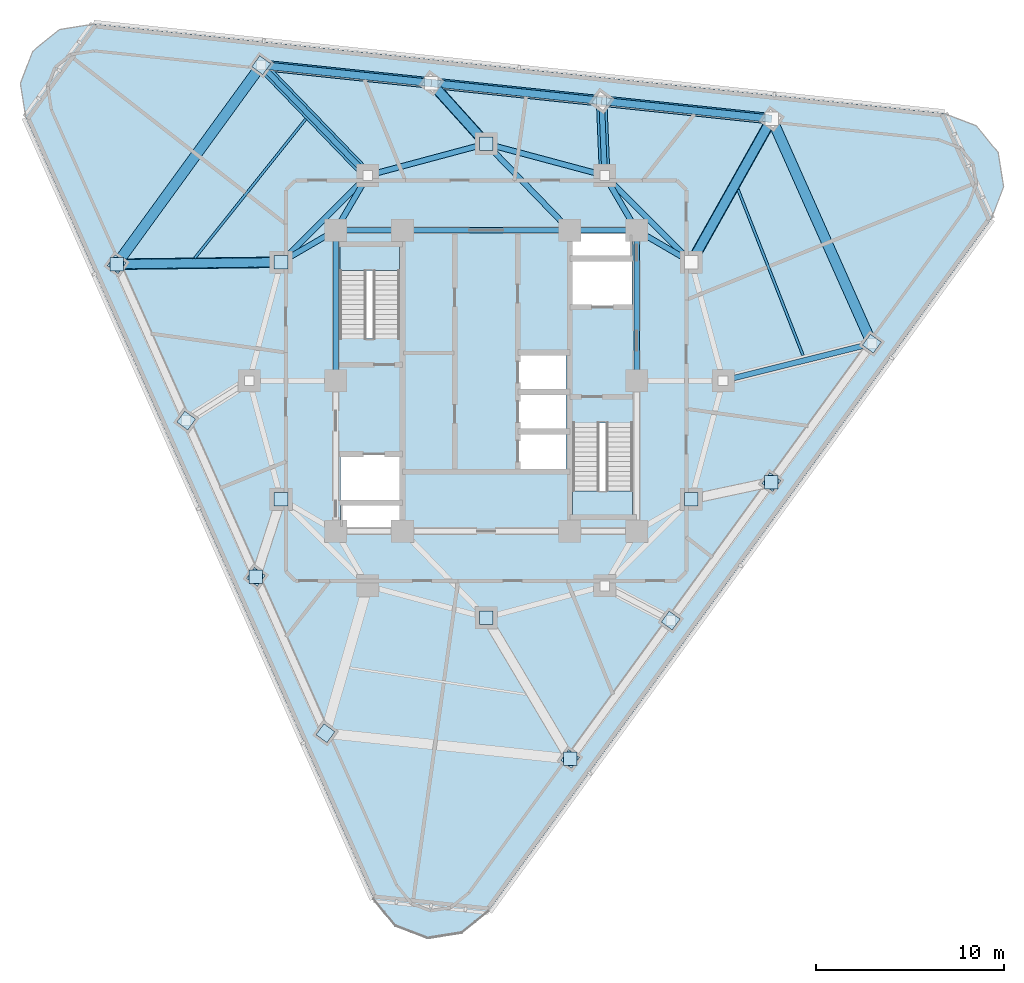
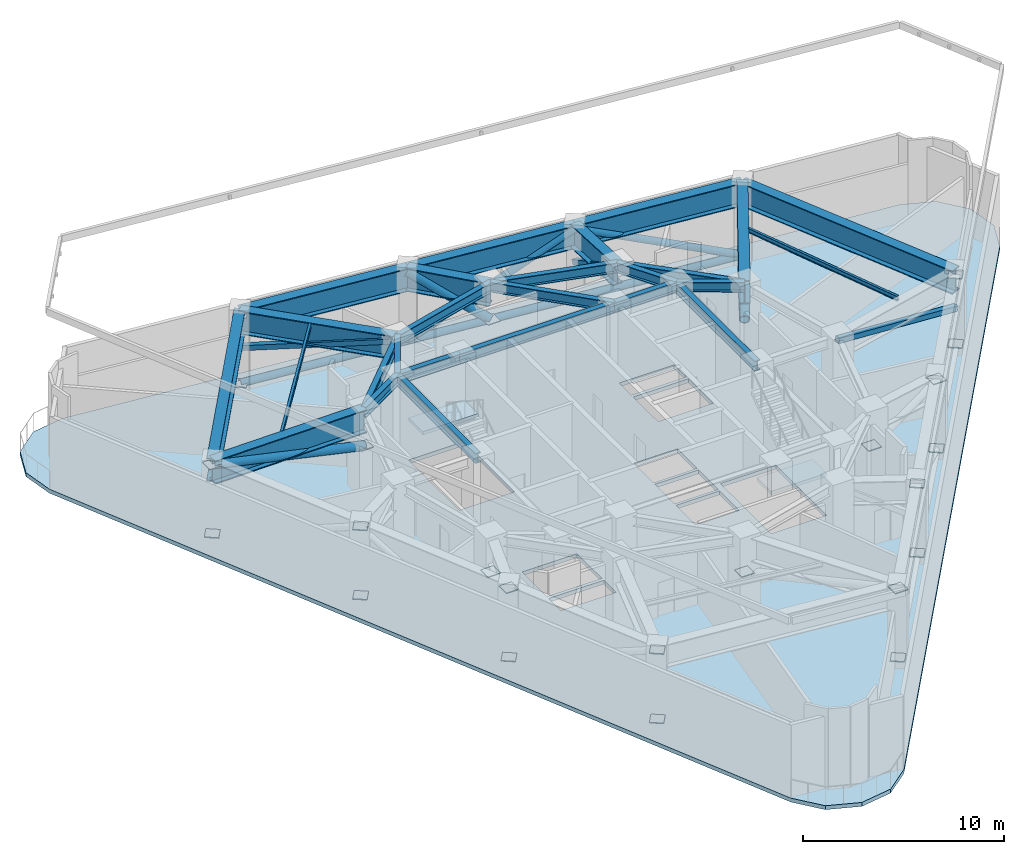
# One storey, part 2 of 10: 26 beams, 23 plates, 12 members, 3 slabs, 2 elements without a shape of their own.
"""IFC4 building model written with IfcOpenShell, lengths in metres."""

from ifc_helpers import new_model, si_unit, direction, frame, origin, origin_2d, place, context, subcontext, project, spatial, polyline, rectangle, hollow_rectangle, hollow_circle, i_section, outline, extrude, material, layer, layer_set, material_profile, profile_set, type_object, element, aggregate, save


model = new_model("IFC4")

# Units and contexts
model_context = context("Model", 3, precision=1e-05, world=origin(), true_north=direction((0.0, 1.0)))
body_context = subcontext(model_context, "Body", "Model", "MODEL_VIEW")
ifc_project = project(units=[si_unit("LENGTHUNIT", "METRE"), si_unit("AREAUNIT", "SQUARE_METRE"), si_unit("VOLUMEUNIT", "CUBIC_METRE"), si_unit("PLANEANGLEUNIT", "RADIAN"), si_unit("MASSUNIT", "GRAM", prefix="KILO")], contexts=[model_context])

# Site, building, storey
site_placement = place(None, origin())
site = spatial("IfcSite", under=ifc_project, at=site_placement, CompositionType="ELEMENT")
building_placement = place(site_placement, origin())
building = spatial("IfcBuilding", under=site, at=building_placement, Name="Terralouvre Media Tower", CompositionType="ELEMENT")
storey_placement = place(building_placement, frame((0.0, 0.0, 213.800048828125)))
storey = spatial("IfcBuildingStorey", under=building, at=storey_placement, Name="L55", CompositionType="ELEMENT", Elevation=213.800048828125)

# Members
ifc_material_1 = material(Name="Structural steel S460M", Category="steel")
ifc_material_profile_1 = material_profile(ifc_material_1, hollow_circle(Radius=0.203125, WallThickness=0.02001953125, at=origin_2d()), Name="CHS 406.4x20")
ifc_profile_set_1 = profile_set([ifc_material_profile_1], Name="Structural steel S460M")
member_type_1 = type_object("IfcMemberType", Name="Belt and Outrigger Brace BR-CHS406 (CHS 406.4x20)", PredefinedType="BRACE", material=ifc_profile_set_1)
for number, where, z_axis, x_axis, name in (
    (1, (15.1884765625, 13.92333984375, 0.349853515625), (-0.902976581458, 0.094904010396, 0.419078181429), (-0.104525573596, -0.994522199081, 0.0), "L55 Belt-Truss Diagonal Brace BT04"),
    (2, (6.138427734375, 14.87451171875, 4.550048828125), (-0.902976581458, 0.094904010396, -0.419078181429), (-0.104525573596, -0.994522199081, 0.0), "L55 Belt-Truss Diagonal Brace BT05"),
):
    element("IfcMember", number, at=place(storey_placement, frame(where, z_axis=z_axis, x_axis=x_axis)), inside=storey, type_object=member_type_1, Name=name, PredefinedType="BRACE", context=body_context, shape_type="SweptSolid", body=[
        extrude(hollow_circle(Radius=0.203125, WallThickness=0.02001953125, at=origin_2d()), origin(), (0.0, 0.0, 1.0), 10.0224609375),
    ])
member_1_placement = place(storey_placement, frame((-2.91162109375, 15.82568359375, 0.349853515625), z_axis=(-0.902981078855, 0.094901922936, 0.419068963599), x_axis=(-0.10452278472, -0.994522492191, 0.0)))
element("IfcMember", 3, at=member_1_placement, inside=storey, type_object=member_type_1, Name="L55 Belt-Truss Diagonal Brace BT06", PredefinedType="BRACE", context=body_context, shape_type="SweptSolid", body=[
    extrude(hollow_circle(Radius=0.203125, WallThickness=0.02001953125, at=origin_2d()), origin(), (0.0, 0.0, 1.0), 10.022705078125),
])
ifc_material_2 = material(Name="Structural steel S460M", Category="steel")
ifc_material_profile_2 = material_profile(ifc_material_2, hollow_circle(Radius=0.25390625, WallThickness=0.02490234375, at=origin_2d()), Name="CHS 508x25")
ifc_profile_set_2 = profile_set([ifc_material_profile_2], Name="Structural steel S460M")
member_type_2 = type_object("IfcMemberType", Name="Belt and Outrigger Brace BR-CHS508 (CHS 508x25)", PredefinedType="BRACE", material=ifc_profile_set_2)
member_2_placement = place(storey_placement, frame((10.911865234375, 6.300048828125, 2.550048828125), z_axis=(0.476937020861, 0.850166037357, 0.223044361186), x_axis=(-0.872136646042, 0.489262374018, 0.0)))
element("IfcMember", 4, at=member_2_placement, inside=storey, type_object=member_type_2, Name="L55 Outrigger Diagonal Brace OR03", PredefinedType="BRACE", context=body_context, shape_type="SweptSolid", body=[
    extrude(hollow_circle(Radius=0.25390625, WallThickness=0.02490234375, at=origin_2d()), origin(), (0.0, 0.0, 1.0), 8.966796875),
])
member_3_placement = place(storey_placement, frame((0.0, 12.60009765625, 2.550048828125), z_axis=(-0.608679137434, 0.674313999982, 0.418103261266), x_axis=(-0.742309958732, -0.670056658177, 0.0)))
element("IfcMember", 5, at=member_3_placement, inside=storey, type_object=member_type_2, Name="L55 Outrigger Diagonal Brace OR04", PredefinedType="BRACE", context=body_context, shape_type="SweptSolid", body=[
    extrude(hollow_circle(Radius=0.25390625, WallThickness=0.02490234375, at=origin_2d()), origin(), (0.0, 0.0, 1.0), 4.783447265625),
])
member_4_placement = place(storey_placement, frame((-10.911865234375, 6.300048828125, 2.550048828125), z_axis=(-0.974735166454, -0.012034103616, 0.223039314086), x_axis=(0.012345083045, -0.999923796559, 0.0)))
element("IfcMember", 6, at=member_4_placement, inside=storey, type_object=member_type_2, Name="L55 Outrigger Diagonal Brace OR05", PredefinedType="BRACE", context=body_context, shape_type="SweptSolid", body=[
    extrude(hollow_circle(Radius=0.25390625, WallThickness=0.02490234375, at=origin_2d()), origin(), (0.0, 0.0, 1.0), 8.967041015625),
])

# Beams
ifc_material_3 = material(Name="Structural steel S355J2", Category="steel")
ifc_material_profile_3 = material_profile(ifc_material_3, i_section(OverallWidth=0.135009765625, OverallDepth=0.27001953125, WebThickness=0.006591796875, FlangeThickness=0.01025390625, at=origin_2d()), Name="IPE 270")
ifc_profile_set_3 = profile_set([ifc_material_profile_3], Name="Structural steel S355J2")
beam_type_1 = type_object("IfcBeamType", Name="Composite Floor Joist J-IPE270 (IPE 270)", PredefinedType="JOIST", material=ifc_profile_set_3)
for number, where, z_axis, x_axis, name in (
    (7, (16.848388671875, 1.344970703125, 4.764892578125), (-0.36482625964, 0.931075614694, 0.0), (-0.931075614694, -0.36482625964, 0.0), "L55 Framing Beam JT-L55-03"),
    (8, (-9.5888671875, 13.918701171875, 4.764892578125), (-0.623946118223, -0.781467364357, 0.0), (0.781467364357, -0.623946118223, 0.0), "L55 Framing Beam JT-L55-05"),
):
    element("IfcBeam", number, at=place(storey_placement, frame(where, z_axis=z_axis, x_axis=x_axis)), inside=storey, type_object=beam_type_1, Name=name, PredefinedType="JOIST", context=body_context, shape_type="SweptSolid", body=[
        extrude(i_section(OverallWidth=0.135009765625, OverallDepth=0.27001953125, WebThickness=0.006591796875, FlangeThickness=0.01025390625, at=origin_2d()), origin(), (0.0, 0.0, 1.0), 9.465087890625),
    ])

# Members
ifc_material_4 = material(Name="Structural steel S355J2", Category="steel")
ifc_material_profile_4 = material_profile(ifc_material_4, hollow_rectangle(XDim=0.300048828125, YDim=0.300048828125, WallThickness=0.01611328125, at=origin_2d()), Name="SHS 300x300x16")
ifc_profile_set_4 = profile_set([ifc_material_profile_4], Name="Structural steel S355J2")
member_type_3 = type_object("IfcMemberType", Name="Portal Knee-Brace Strut ST-SHS300 (SHS 300x300x16)", PredefinedType="STRUT", material=ifc_profile_set_4)
member_5_placement = place(storey_placement, frame((12.60009765625, 0.0, 4.550048828125), z_axis=(0.942391774212, 0.234783530909, -0.238273870813), x_axis=(-0.24174630714, 0.970339488521, 0.0)))
element("IfcMember", 9, at=member_5_placement, inside=storey, type_object=member_type_3, Name="L55 Refuge Outrigger Knee-Brace Strut 12", PredefinedType="STRUT", context=body_context, shape_type="SweptSolid", body=[
    extrude(hollow_rectangle(XDim=0.300048828125, YDim=0.300048828125, WallThickness=0.01611328125, at=origin_2d()), origin(), (0.0, 0.0, 1.0), 8.393798828125),
])
member_6_placement = place(storey_placement, frame((6.300048828125, 10.911865234375, 4.550048828125), z_axis=(-0.036387224746, 0.892146593422, -0.450278164827), x_axis=(-0.999169281274, -0.040752268141, 0.0)))
element("IfcMember", 10, at=member_6_placement, inside=storey, type_object=member_type_3, Name="L55 Refuge Outrigger Knee-Brace Strut 13", PredefinedType="STRUT", context=body_context, shape_type="SweptSolid", body=[
    extrude(hollow_rectangle(XDim=0.300048828125, YDim=0.300048828125, WallThickness=0.01611328125, at=origin_2d()), origin(), (0.0, 0.0, 1.0), 4.441650390625),
])
member_7_placement = place(storey_placement, frame((-6.300048828125, 10.911865234375, 4.550048828125), z_axis=(-0.674534469064, 0.698734058484, -0.238272880452), x_axis=(-0.719455642389, -0.694538392484, 0.0)))
element("IfcMember", 11, at=member_7_placement, inside=storey, type_object=member_type_3, Name="L55 Refuge Outrigger Knee-Brace Strut 14", PredefinedType="STRUT", context=body_context, shape_type="SweptSolid", body=[
    extrude(hollow_rectangle(XDim=0.300048828125, YDim=0.300048828125, WallThickness=0.01611328125, at=origin_2d()), origin(), (0.0, 0.0, 1.0), 8.393798828125),
])

# Beams
ifc_material_5 = material(Name="Structural steel S460M", Category="steel")
ifc_material_profile_5 = material_profile(ifc_material_5, i_section(OverallWidth=0.300048828125, OverallDepth=0.60009765625, WebThickness=0.015380859375, FlangeThickness=0.030029296875, at=origin_2d()), Name="HEB 600")
ifc_profile_set_5 = profile_set([ifc_material_profile_5], Name="Structural steel S460M")
beam_type_2 = type_object("IfcBeamType", Name="Primary Floor Girder B-HEB600 (HEB 600)", PredefinedType="BEAM", material=ifc_profile_set_5)
beam_1_placement = place(storey_placement, frame((8.0, 0.0, 4.599853515625), z_axis=(0.0, 1.0, 0.0), x_axis=(-1.0, 0.0, 0.0)))
element("IfcBeam", 12, at=beam_1_placement, inside=storey, type_object=beam_type_2, Name="L55 Framing Beam BM-L55-CPR05", PredefinedType="BEAM", context=body_context, shape_type="SweptSolid", body=[
    extrude(i_section(OverallWidth=0.300048828125, OverallDepth=0.60009765625, WebThickness=0.015380859375, FlangeThickness=0.030029296875, at=origin_2d()), origin(), (0.0, 0.0, 1.0), 8.0),
])
beam_2_placement = place(storey_placement, frame((8.0, 8.0, 4.599853515625), z_axis=(-1.0, 0.0, 0.0), x_axis=(0.0, -1.0, 0.0)))
element("IfcBeam", 13, at=beam_2_placement, inside=storey, type_object=beam_type_2, Name="L55 Framing Beam BM-L55-CPR06", PredefinedType="BEAM", context=body_context, shape_type="SweptSolid", body=[
    extrude(i_section(OverallWidth=0.300048828125, OverallDepth=0.60009765625, WebThickness=0.015380859375, FlangeThickness=0.030029296875, at=origin_2d()), origin(), (0.0, 0.0, 1.0), 3.550048828125),
])
beam_3_placement = place(storey_placement, frame((4.449951171875, 8.0, 4.599853515625), z_axis=(-1.0, 0.0, 0.0), x_axis=(0.0, -1.0, 0.0)))
element("IfcBeam", 14, at=beam_3_placement, inside=storey, type_object=beam_type_2, Name="L55 Framing Beam BM-L55-CPR07", PredefinedType="BEAM", context=body_context, shape_type="SweptSolid", body=[
    extrude(i_section(OverallWidth=0.300048828125, OverallDepth=0.60009765625, WebThickness=0.015380859375, FlangeThickness=0.030029296875, at=origin_2d()), origin(), (0.0, 0.0, 1.0), 8.89990234375),
])
beam_4_placement = place(storey_placement, frame((-4.449951171875, 8.0, 4.599853515625), z_axis=(-1.0, 0.0, 0.0), x_axis=(0.0, -1.0, 0.0)))
element("IfcBeam", 15, at=beam_4_placement, inside=storey, type_object=beam_type_2, Name="L55 Framing Beam BM-L55-CPR08", PredefinedType="BEAM", context=body_context, shape_type="SweptSolid", body=[
    extrude(i_section(OverallWidth=0.300048828125, OverallDepth=0.60009765625, WebThickness=0.015380859375, FlangeThickness=0.030029296875, at=origin_2d()), origin(), (0.0, 0.0, 1.0), 3.550048828125),
])
beam_5_placement = place(storey_placement, frame((-8.0, 8.0, 4.599853515625), z_axis=(0.0, -1.0, 0.0), x_axis=(1.0, 0.0, 0.0)))
element("IfcBeam", 16, at=beam_5_placement, inside=storey, type_object=beam_type_2, Name="L55 Framing Beam BM-L55-CPR09", PredefinedType="BEAM", context=body_context, shape_type="SweptSolid", body=[
    extrude(i_section(OverallWidth=0.300048828125, OverallDepth=0.60009765625, WebThickness=0.015380859375, FlangeThickness=0.030029296875, at=origin_2d()), origin(), (0.0, 0.0, 1.0), 8.0),
])
beam_6_placement = place(storey_placement, frame((10.911865234375, 6.300048828125, 4.599853515625), z_axis=(-0.707106781187, 0.707106781187, 0.0), x_axis=(-0.707106781187, -0.707106781187, 0.0)))
element("IfcBeam", 17, at=beam_6_placement, inside=storey, type_object=beam_type_2, Name="L55 Framing Beam BM-L55-MR07", PredefinedType="BEAM", context=body_context, shape_type="SweptSolid", body=[
    extrude(i_section(OverallWidth=0.300048828125, OverallDepth=0.60009765625, WebThickness=0.015380859375, FlangeThickness=0.030029296875, at=origin_2d()), origin(), (0.0, 0.0, 1.0), 6.52197265625),
])
for number, where, z_axis, x_axis, name in (
    (18, (6.300048828125, 10.911865234375, 4.599853515625), (-0.965920481897, 0.258838989821, 0.0), (-0.258838989821, -0.965920481897, 0.0), "L55 Framing Beam BM-L55-MR08"),
    (19, (0.0, 12.60009765625, 4.599853515625), (-0.965920481897, -0.258838989821, 0.0), (0.258838989821, -0.965920481897, 0.0), "L55 Framing Beam BM-L55-MR09"),
):
    element("IfcBeam", number, at=place(storey_placement, frame(where, z_axis=z_axis, x_axis=x_axis)), inside=storey, type_object=beam_type_2, Name=name, PredefinedType="BEAM", context=body_context, shape_type="SweptSolid", body=[
        extrude(i_section(OverallWidth=0.300048828125, OverallDepth=0.60009765625, WebThickness=0.015380859375, FlangeThickness=0.030029296875, at=origin_2d()), origin(), (0.0, 0.0, 1.0), 6.522216796875),
    ])
beam_7_placement = place(storey_placement, frame((-6.300048828125, 10.911865234375, 4.599853515625), z_axis=(-0.707106781187, -0.707106781187, 0.0), x_axis=(0.707106781187, -0.707106781187, 0.0)))
element("IfcBeam", 20, at=beam_7_placement, inside=storey, type_object=beam_type_2, Name="L55 Framing Beam BM-L55-MR10", PredefinedType="BEAM", context=body_context, shape_type="SweptSolid", body=[
    extrude(i_section(OverallWidth=0.300048828125, OverallDepth=0.60009765625, WebThickness=0.015380859375, FlangeThickness=0.030029296875, at=origin_2d()), origin(), (0.0, 0.0, 1.0), 6.52197265625),
])
for number, where, z_axis, x_axis, name in (
    (21, (8.0, 8.0, 4.599853515625), (0.863602894532, -0.504172629717, 0.0), (0.504172629717, 0.863602894532, 0.0), "L55 Framing Beam BM-L55-CM07"),
    (22, (8.0, 8.0, 4.599853515625), (-0.504172629717, 0.863602894532, 0.0), (-0.863602894532, -0.504172629717, 0.0), "L55 Framing Beam BM-L55-CM08"),
):
    element("IfcBeam", number, at=place(storey_placement, frame(where, z_axis=z_axis, x_axis=x_axis)), inside=storey, type_object=beam_type_2, Name=name, PredefinedType="BEAM", context=body_context, shape_type="SweptSolid", body=[
        extrude(i_section(OverallWidth=0.300048828125, OverallDepth=0.60009765625, WebThickness=0.015380859375, FlangeThickness=0.030029296875, at=origin_2d()), origin(), (0.0, 0.0, 1.0), 3.371826171875),
    ])
beam_8_placement = place(storey_placement, frame((4.449951171875, 8.0, 4.599853515625), z_axis=(-0.695279715726, 0.718739255155, 0.0), x_axis=(-0.718739255155, -0.695279715726, 0.0)))
element("IfcBeam", 23, at=beam_8_placement, inside=storey, type_object=beam_type_2, Name="L55 Framing Beam BM-L55-CM09", PredefinedType="BEAM", context=body_context, shape_type="SweptSolid", body=[
    extrude(i_section(OverallWidth=0.300048828125, OverallDepth=0.60009765625, WebThickness=0.015380859375, FlangeThickness=0.030029296875, at=origin_2d()), origin(), (0.0, 0.0, 1.0), 6.400146484375),
])
for number, where, z_axis, x_axis, name in (
    (24, (-8.0, 8.0, 4.599853515625), (0.504172629717, 0.863602894532, 0.0), (-0.863602894532, 0.504172629717, 0.0), "L55 Framing Beam BM-L55-CM10"),
    (25, (-8.0, 8.0, 4.599853515625), (-0.863602894532, -0.504172629717, 0.0), (0.504172629717, -0.863602894532, 0.0), "L55 Framing Beam BM-L55-CM11"),
):
    element("IfcBeam", number, at=place(storey_placement, frame(where, z_axis=z_axis, x_axis=x_axis)), inside=storey, type_object=beam_type_2, Name=name, PredefinedType="BEAM", context=body_context, shape_type="SweptSolid", body=[
        extrude(i_section(OverallWidth=0.300048828125, OverallDepth=0.60009765625, WebThickness=0.015380859375, FlangeThickness=0.030029296875, at=origin_2d()), origin(), (0.0, 0.0, 1.0), 3.371826171875),
    ])

# Members
ifc_material_6 = material(Name="Structural steel S460M", Category="steel")
ifc_material_profile_6 = material_profile(ifc_material_6, hollow_circle(Radius=0.203125, WallThickness=0.02001953125, at=origin_2d()), Name="CHS 406.4x20")
ifc_profile_set_6 = profile_set([ifc_material_profile_6], Name="Structural steel S460M")
member_type_4 = type_object("IfcMemberType", Name="Truss Chord Member CH-CHS406 (CHS 406.4x20)", PredefinedType="CHORD", material=ifc_profile_set_6)
for number, where, z_axis, x_axis, name in (
    (26, (15.1884765625, 13.92333984375, 0.349853515625), (-0.994522199081, 0.104525573596, 0.0), (-0.104525573596, -0.994522199081, 0.0), "L55 Belt-Truss Bottom Chord 04"),
    (27, (6.138427734375, 14.87451171875, 0.349853515625), (-0.994522199081, 0.104525573596, 0.0), (-0.104525573596, -0.994522199081, 0.0), "L55 Belt-Truss Bottom Chord 05"),
):
    element("IfcMember", number, at=place(storey_placement, frame(where, z_axis=z_axis, x_axis=x_axis)), inside=storey, type_object=member_type_4, Name=name, PredefinedType="CHORD", context=body_context, shape_type="SweptSolid", body=[
        extrude(hollow_circle(Radius=0.203125, WallThickness=0.02001953125, at=origin_2d()), origin(), (0.0, 0.0, 1.0), 9.099853515625),
    ])
member_8_placement = place(storey_placement, frame((-2.91162109375, 15.82568359375, 0.349853515625), z_axis=(-0.994522492191, 0.10452278472, 0.0), x_axis=(-0.10452278472, -0.994522492191, 0.0)))
element("IfcMember", 28, at=member_8_placement, inside=storey, type_object=member_type_4, Name="L55 Belt-Truss Bottom Chord 06", PredefinedType="CHORD", context=body_context, shape_type="SweptSolid", body=[
    extrude(hollow_circle(Radius=0.203125, WallThickness=0.02001953125, at=origin_2d()), origin(), (0.0, 0.0, 1.0), 9.10009765625),
])

# Beams
ifc_material_7 = material(Name="Structural steel S460M", Category="steel")
ifc_material_profile_7 = material_profile(ifc_material_7, i_section(OverallWidth=0.56005859375, OverallDepth=1.39990234375, WebThickness=0.031982421875, FlangeThickness=0.050048828125, at=origin_2d()), Name="TG 1400x560")
ifc_profile_set_7 = profile_set([ifc_material_profile_7], Name="Structural steel S460M")
beam_type_3 = type_object("IfcBeamType", Name="Welded Transfer Girder TG-1400 (TG 1400x560)", PredefinedType="USERDEFINED", material=ifc_profile_set_7)
beam_9_placement = place(storey_placement, frame((20.51025390625, 1.970703125, 4.199951171875), z_axis=(-0.406744336382, 0.913542032323, 0.0), x_axis=(-0.913542032323, -0.406744336382, 0.0)))
element("IfcBeam", 29, at=beam_9_placement, inside=storey, type_object=beam_type_3, Name="L55 Framing Beam BM-L55-PR07", ObjectType="TRANSFER GIRDER", PredefinedType="USERDEFINED", context=body_context, shape_type="SweptSolid", body=[
    extrude(i_section(OverallWidth=0.56005859375, OverallDepth=1.39990234375, WebThickness=0.031982421875, FlangeThickness=0.050048828125, at=origin_2d()), origin(), (0.0, 0.0, 1.0), 13.083740234375),
])
for number, where, z_axis, x_axis, name in (
    (30, (15.1884765625, 13.92333984375, 4.199951171875), (-0.994522199081, 0.104525573596, 0.0), (-0.104525573596, -0.994522199081, 0.0), "L55 Framing Beam BM-L55-PR08"),
    (31, (6.138427734375, 14.87451171875, 4.199951171875), (-0.994522199081, 0.104525573596, 0.0), (-0.104525573596, -0.994522199081, 0.0), "L55 Framing Beam BM-L55-PR09"),
):
    element("IfcBeam", number, at=place(storey_placement, frame(where, z_axis=z_axis, x_axis=x_axis)), inside=storey, type_object=beam_type_3, Name=name, ObjectType="TRANSFER GIRDER", PredefinedType="USERDEFINED", context=body_context, shape_type="SweptSolid", body=[
        extrude(i_section(OverallWidth=0.56005859375, OverallDepth=1.39990234375, WebThickness=0.031982421875, FlangeThickness=0.050048828125, at=origin_2d()), origin(), (0.0, 0.0, 1.0), 9.099853515625),
    ])
beam_10_placement = place(storey_placement, frame((-2.91162109375, 15.82568359375, 4.199951171875), z_axis=(-0.994522492191, 0.10452278472, 0.0), x_axis=(-0.10452278472, -0.994522492191, 0.0)))
element("IfcBeam", 32, at=beam_10_placement, inside=storey, type_object=beam_type_3, Name="L55 Framing Beam BM-L55-PR10", ObjectType="TRANSFER GIRDER", PredefinedType="USERDEFINED", context=body_context, shape_type="SweptSolid", body=[
    extrude(i_section(OverallWidth=0.56005859375, OverallDepth=1.39990234375, WebThickness=0.031982421875, FlangeThickness=0.050048828125, at=origin_2d()), origin(), (0.0, 0.0, 1.0), 9.10009765625),
])
beam_11_placement = place(storey_placement, frame((-11.9619140625, 16.77685546875, 4.199951171875), z_axis=(-0.587794396272, -0.809010350806, 0.0), x_axis=(0.809010350806, -0.587794396272, 0.0)))
element("IfcBeam", 33, at=beam_11_placement, inside=storey, type_object=beam_type_3, Name="L55 Framing Beam BM-L55-PR11", ObjectType="TRANSFER GIRDER", PredefinedType="USERDEFINED", context=body_context, shape_type="SweptSolid", body=[
    extrude(i_section(OverallWidth=0.56005859375, OverallDepth=1.39990234375, WebThickness=0.031982421875, FlangeThickness=0.050048828125, at=origin_2d()), origin(), (0.0, 0.0, 1.0), 13.08349609375),
])
beam_12_placement = place(storey_placement, frame((10.911865234375, 6.300048828125, 4.199951171875), z_axis=(0.489262374018, 0.872136646042, 0.0), x_axis=(-0.872136646042, 0.489262374018, 0.0)))
element("IfcBeam", 34, at=beam_12_placement, inside=storey, type_object=beam_type_3, Name="L55 Framing Beam BM-L55-RD08", ObjectType="TRANSFER GIRDER", PredefinedType="USERDEFINED", context=body_context, shape_type="SweptSolid", body=[
    extrude(i_section(OverallWidth=0.56005859375, OverallDepth=1.39990234375, WebThickness=0.031982421875, FlangeThickness=0.050048828125, at=origin_2d()), origin(), (0.0, 0.0, 1.0), 8.740966796875),
])
beam_13_placement = place(storey_placement, frame((6.300048828125, 10.911865234375, 4.199951171875), z_axis=(-0.040752268141, 0.999169281274, 0.0), x_axis=(-0.999169281274, -0.040752268141, 0.0)))
element("IfcBeam", 35, at=beam_13_placement, inside=storey, type_object=beam_type_3, Name="L55 Framing Beam BM-L55-RD09", ObjectType="TRANSFER GIRDER", PredefinedType="USERDEFINED", context=body_context, shape_type="SweptSolid", body=[
    extrude(i_section(OverallWidth=0.56005859375, OverallDepth=1.39990234375, WebThickness=0.031982421875, FlangeThickness=0.050048828125, at=origin_2d()), origin(), (0.0, 0.0, 1.0), 3.9658203125),
])
beam_14_placement = place(storey_placement, frame((0.0, 12.60009765625, 4.199951171875), z_axis=(-0.670056658177, 0.742309958732, 0.0), x_axis=(-0.742309958732, -0.670056658177, 0.0)))
element("IfcBeam", 36, at=beam_14_placement, inside=storey, type_object=beam_type_3, Name="L55 Framing Beam BM-L55-RD10", ObjectType="TRANSFER GIRDER", PredefinedType="USERDEFINED", context=body_context, shape_type="SweptSolid", body=[
    extrude(i_section(OverallWidth=0.56005859375, OverallDepth=1.39990234375, WebThickness=0.031982421875, FlangeThickness=0.050048828125, at=origin_2d()), origin(), (0.0, 0.0, 1.0), 4.34521484375),
])
beam_15_placement = place(storey_placement, frame((-6.300048828125, 10.911865234375, 4.199951171875), z_axis=(-0.694538392484, 0.719455642389, 0.0), x_axis=(-0.719455642389, -0.694538392484, 0.0)))
element("IfcBeam", 37, at=beam_15_placement, inside=storey, type_object=beam_type_3, Name="L55 Framing Beam BM-L55-RD11", ObjectType="TRANSFER GIRDER", PredefinedType="USERDEFINED", context=body_context, shape_type="SweptSolid", body=[
    extrude(i_section(OverallWidth=0.56005859375, OverallDepth=1.39990234375, WebThickness=0.031982421875, FlangeThickness=0.050048828125, at=origin_2d()), origin(), (0.0, 0.0, 1.0), 8.152099609375),
])
beam_16_placement = place(storey_placement, frame((-10.911865234375, 6.300048828125, 4.199951171875), z_axis=(-0.999923796559, -0.012345083045, 0.0), x_axis=(0.012345083045, -0.999923796559, 0.0)))
element("IfcBeam", 38, at=beam_16_placement, inside=storey, type_object=beam_type_3, Name="L55 Framing Beam BM-L55-RD12", ObjectType="TRANSFER GIRDER", PredefinedType="USERDEFINED", context=body_context, shape_type="SweptSolid", body=[
    extrude(i_section(OverallWidth=0.56005859375, OverallDepth=1.39990234375, WebThickness=0.031982421875, FlangeThickness=0.050048828125, at=origin_2d()), origin(), (0.0, 0.0, 1.0), 8.7412109375),
])

# Slab
ifc_material_8 = material(Name="Concrete C45/55", Category="concrete")
ifc_layer_1 = layer(ifc_material_8, 0.239990234375, Name="Refuge Fire-Barrier Slab S-REF240")
ifc_layer_set_1 = layer_set([ifc_layer_1], Name="Concrete C45/55")
slab_type_1 = type_object("IfcSlabType", Name="Refuge Fire-Barrier Slab S-REF240", PredefinedType="FLOOR", material=ifc_layer_set_1)
slab_1_placement = place(storey_placement, frame((0.0, 0.0, -0.239990234375), z_axis=(0.0, 0.0, 1.0), x_axis=(0.587785252292, 0.809016994375, 0.0)))
element("IfcSlab", 39, at=slab_1_placement, inside=storey, type_object=slab_type_1, Name="L55 Structural Floor Slab", PredefinedType="FLOOR", context=body_context, shape_type="SweptSolid", body=[
    extrude(outline(polyline([(-25.824462890625, -11.359619140625), (-26.300048828125, -13.134765625), (-25.824462890625, -14.90966796875), (-24.52490234375, -16.209228515625), (-22.75, -16.684814453125), (22.75, -16.684814453125), (24.52490234375, -16.209228515625), (25.824462890625, -14.90966796875), (26.300048828125, -13.134765625), (25.824462890625, -11.359619140625), (3.074462890625, 28.04443359375), (1.77490234375, 29.34375), (0.0, 29.8193359375), (-1.77490234375, 29.34375), (-3.074462890625, 28.04443359375), (-25.824462890625, -11.359619140625)]), holes=[polyline([(-8.043212890625, -0.157958984375), (-9.01416015625, -0.86328125), (-10.86572265625, 1.68505859375), (-9.894775390625, 2.390380859375), (-8.043212890625, -0.157958984375)]), polyline([(-5.8994140625, 1.399658203125), (-7.881591796875, -0.040283203125), (-9.733154296875, 2.508056640625), (-7.7509765625, 3.9482421875), (-5.8994140625, 1.399658203125)]), polyline([(-3.169677734375, -7.98876953125), (0.887451171875, -5.041015625), (2.7568359375, -7.61376953125), (-1.300537109375, -10.5615234375), (-3.169677734375, -7.98876953125)]), polyline([(0.2490234375, -5.072265625), (-1.320556640625, -6.212646484375), (-2.7900390625, -4.190185546875), (-1.220458984375, -3.0498046875), (0.2490234375, -5.072265625)]), polyline([(1.947998046875, -3.838134765625), (0.37841796875, -4.978271484375), (-1.091064453125, -2.955810546875), (0.478515625, -1.8154296875), (1.947998046875, -3.838134765625)]), polyline([(3.64697265625, -2.603759765625), (2.077392578125, -3.743896484375), (0.60791015625, -1.721435546875), (2.177490234375, -0.5810546875), (3.64697265625, -2.603759765625)]), polyline([(3.169677734375, 7.98876953125), (-0.887451171875, 5.041015625), (-2.7568359375, 7.61376953125), (1.300537109375, 10.5615234375), (3.169677734375, 7.98876953125)]), polyline([(7.7509765625, -3.9482421875), (5.8994140625, -1.399658203125), (7.881591796875, 0.040283203125), (9.733154296875, -2.508056640625), (7.7509765625, -3.9482421875)]), polyline([(9.894775390625, -2.390380859375), (8.043212890625, 0.157958984375), (9.01416015625, 0.86328125), (10.86572265625, -1.68505859375), (9.894775390625, -2.390380859375)])]), origin(), (0.0, 0.0, 1.0), 0.239990234375),
])

# Stair, slab
ifc_material_9 = material(Name="Concrete C45/55", Category="concrete")
stair_type_1 = type_object("IfcStairType", Name="Dogleg Stair Assembly ST-01", PredefinedType="HALF_TURN_STAIR", material=ifc_material_9)
stair_1_placement = place(storey_placement, origin())
stair_1 = element("IfcStair", 40, at=stair_1_placement, inside=storey, type_object=stair_type_1, Name="L55 Core Pressurised Exit Stair ST-01", PredefinedType="HALF_TURN_STAIR")
ifc_material_10 = material(Name="Concrete C45/55", Category="concrete")
ifc_layer_2 = layer(ifc_material_10, 0.199951171875, Name="Reinforced Concrete Stair Half-Landing SL-LD1")
ifc_layer_set_2 = layer_set([ifc_layer_2], Name="Concrete C45/55")
slab_type_2 = type_object("IfcSlabType", Name="Reinforced Concrete Stair Half-Landing SL-LD1", PredefinedType="LANDING", material=ifc_layer_set_2)
slab_2_placement = place(storey_placement, frame((0.0, 0.0, 2.349853515625)))
slab_2 = element("IfcSlab", 41, at=slab_2_placement, type_object=slab_type_2, Name="ST-01 landing 1", PredefinedType="LANDING", context=body_context, shape_type="SweptSolid", body=[
    extrude(outline(polyline([(-4.60009765625, 5.860107421875), (-4.60009765625, 7.260009765625), (-7.780029296875, 7.260009765625), (-7.780029296875, 5.860107421875), (-4.60009765625, 5.860107421875)])), origin(), (0.0, 0.0, 1.0), 0.2001953125),
])
aggregate(stair_1, [slab_2])

ifc_material_11 = material(Name="Concrete C45/55", Category="concrete")
stair_type_2 = type_object("IfcStairType", Name="Dogleg Stair Assembly ST-02", PredefinedType="HALF_TURN_STAIR", material=ifc_material_11)
stair_2_placement = place(storey_placement, origin())
stair_2 = element("IfcStair", 42, at=stair_2_placement, inside=storey, type_object=stair_type_2, Name="L55 Core Pressurised Exit Stair ST-02", PredefinedType="HALF_TURN_STAIR")
slab_3_placement = place(storey_placement, frame((0.0, 0.0, 2.349853515625)))
slab_3 = element("IfcSlab", 43, at=slab_3_placement, type_object=slab_type_2, Name="ST-02 landing 1", PredefinedType="LANDING", context=body_context, shape_type="SweptSolid", body=[
    extrude(outline(polyline([(4.60009765625, -5.860107421875), (4.60009765625, -7.260009765625), (7.780029296875, -7.260009765625), (7.780029296875, -5.860107421875), (4.60009765625, -5.860107421875)])), origin(), (0.0, 0.0, 1.0), 0.2001953125),
])
aggregate(stair_2, [slab_3])

# Plates
ifc_material_12 = material(Name="Structural steel S460M", Category="steel")
ifc_layer_3 = layer(ifc_material_12, 0.035888671875, Name="Welded Belt-Truss Gusset Node Plate ND-BT1")
ifc_layer_set_3 = layer_set([ifc_layer_3], Name="Structural steel S460M")
plate_type = type_object("IfcPlateType", Name="Welded Belt-Truss Gusset Node Plate ND-BT1", PredefinedType="SHEET", material=ifc_layer_set_3)
for number, where, z_axis, x_axis, name in (
    (44, (4.463623046875, -20.115478515625, 0.33203125), (0.0, 0.0, 1.0), (0.587785252292, 0.809016994375, 0.0), "L55 Belt-Truss Welded Node Plate ND-01"),
    (45, (9.8125, -12.75341796875, 0.33203125), (0.0, 0.0, 1.0), (0.587785252292, 0.809016994375, 0.0), "L55 Belt-Truss Welded Node Plate ND-02"),
    (46, (9.8125, -12.75341796875, 4.5322265625), (0.0, 0.0, 1.0), (0.587785252292, 0.809016994375, 0.0), "L55 Belt-Truss Welded Node Plate ND-04"),
    (47, (15.161376953125, -5.391357421875, 0.33203125), (0.0, 0.0, 1.0), (0.587785252292, 0.809016994375, 0.0), "L55 Belt-Truss Welded Node Plate ND-06"),
    (48, (20.51025390625, 1.970703125, 0.33203125), (0.0, 0.0, 1.0), (0.587785252292, 0.809016994375, 0.0), "L55 Belt-Truss Welded Node Plate ND-10"),
    (49, (20.51025390625, 1.970703125, 4.5322265625), (0.0, 0.0, 1.0), (0.587785252292, 0.809016994375, 0.0), "L55 Belt-Truss Welded Node Plate ND-12"),
    (50, (-11.9619140625, 16.77685546875, 0.33203125), (0.0, 0.0, 1.0), (0.587785252292, 0.809016994375, 0.0), "L55 Belt-Truss Welded Node Plate ND-22"),
    (51, (-11.9619140625, 16.77685546875, 4.5322265625), (0.0, 0.0, 1.0), (0.587785252292, 0.809016994375, 0.0), "L55 Belt-Truss Welded Node Plate ND-24"),
    (52, (-19.65234375, 6.192138671875, 0.33203125), (0.0, 0.0, 1.0), (0.587785252292, 0.809016994375, 0.0), "L55 Belt-Truss Welded Node Plate ND-25"),
    (53, (-15.950927734375, -2.121337890625, 0.33203125), (0.0, 0.0, 1.0), (0.587785252292, 0.809016994375, 0.0), "L55 Belt-Truss Welded Node Plate ND-26"),
    (54, (-15.950927734375, -2.121337890625, 4.5322265625), (0.0, 0.0, 1.0), (0.587785252292, 0.809016994375, 0.0), "L55 Belt-Truss Welded Node Plate ND-28"),
    (55, (-12.249755859375, -10.4345703125, 0.33203125), (0.0, 0.0, 1.0), (0.587785252292, 0.809016994375, 0.0), "L55 Belt-Truss Welded Node Plate ND-30"),
    (56, (-8.54833984375, -18.747802734375, 0.33203125), (0.0, 0.0, 1.0), (0.587785252292, 0.809016994375, 0.0), "L55 Belt-Truss Welded Node Plate ND-34"),
    (57, (-8.54833984375, -18.747802734375, 4.5322265625), (0.0, 0.0, 1.0), (0.587785252292, 0.809016994375, 0.0), "L55 Belt-Truss Welded Node Plate ND-36"),
    (58, (0.0, -12.60009765625, 2.5322265625), (0.0, 0.0, 1.0), (1.0, 0.0, 0.0), "L55 Outrigger Welded Node Plate ND-37"),
    (59, (4.463623046875, -20.115478515625, 4.5322265625), (0.0, 0.0, 1.0), (1.0, 0.0, 0.0), "L55 Outrigger Welded Node Plate ND-38"),
    (60, (10.911865234375, -6.300048828125, 2.5322265625), (0.0, 0.0, 1.0), (1.0, 0.0, 0.0), "L55 Outrigger Welded Node Plate ND-39"),
    (61, (15.161376953125, -5.391357421875, 4.5322265625), (0.0, 0.0, 1.0), (1.0, 0.0, 0.0), "L55 Outrigger Welded Node Plate ND-40"),
    (62, (0.0, 12.60009765625, 2.5322265625), (0.0, 0.0, 1.0), (1.0, 0.0, 0.0), "L55 Outrigger Welded Node Plate ND-43"),
    (63, (-10.911865234375, 6.300048828125, 2.5322265625), (0.0, 0.0, 1.0), (1.0, 0.0, 0.0), "L55 Outrigger Welded Node Plate ND-45"),
    (64, (-19.65234375, 6.192138671875, 4.5322265625), (0.0, 0.0, 1.0), (1.0, 0.0, 0.0), "L55 Outrigger Welded Node Plate ND-46"),
    (65, (-10.911865234375, -6.300048828125, 2.5322265625), (0.0, 0.0, 1.0), (1.0, 0.0, 0.0), "L55 Outrigger Welded Node Plate ND-47"),
    (66, (-12.249755859375, -10.4345703125, 4.5322265625), (0.0, 0.0, 1.0), (1.0, 0.0, 0.0), "L55 Outrigger Welded Node Plate ND-48"),
):
    element("IfcPlate", number, at=place(storey_placement, frame(where, z_axis=z_axis, x_axis=x_axis)), inside=storey, type_object=plate_type, Name=name, PredefinedType="SHEET", context=body_context, shape_type="SweptSolid", body=[
        extrude(rectangle(XDim=0.719970703125, YDim=0.719970703125, at=origin_2d()), origin(), (0.0, 0.0, 1.0), 0.035888671875),
    ])

save(model, "model.ifc")
